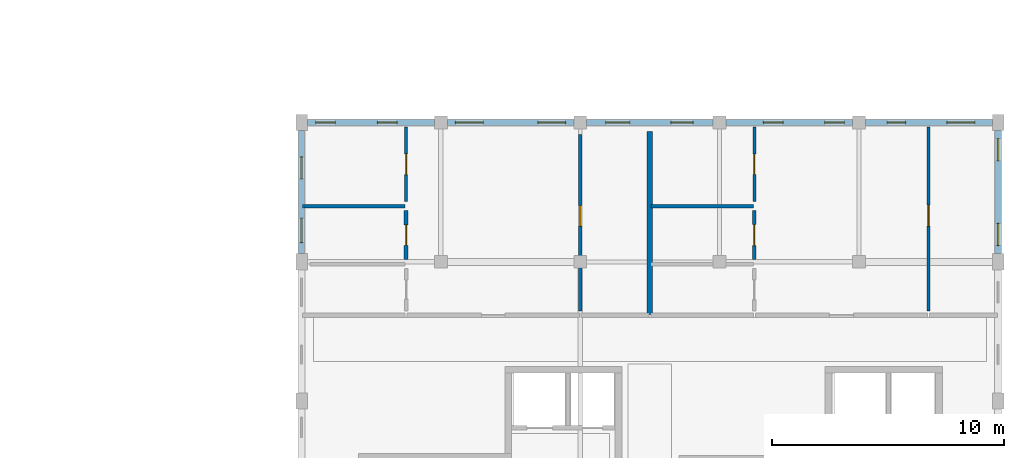
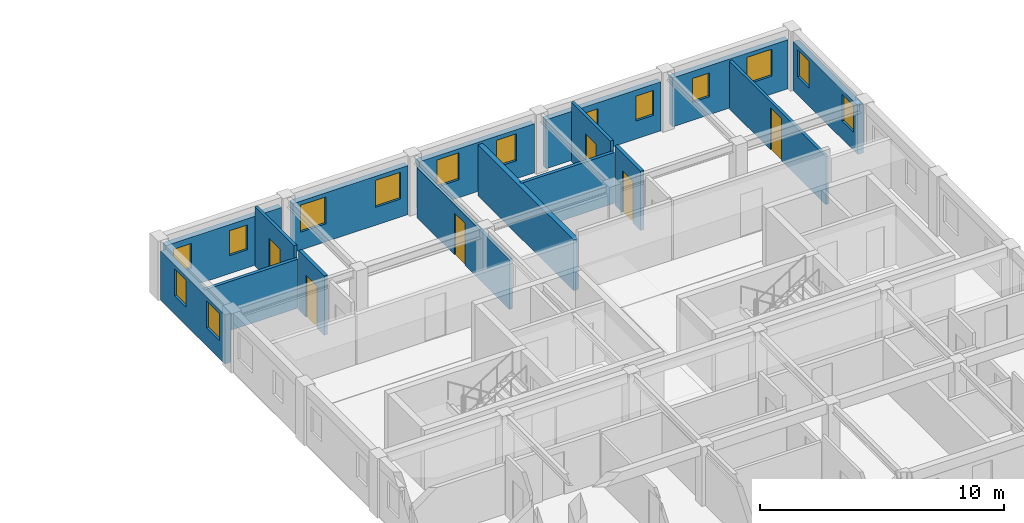
# One storey, part 23 of 28: 16 walls, 14 windows, 6 doors, 20 openings.
"""IFC4 building model written with IfcOpenShell, lengths in metres."""

import ifcopenshell
import ifcopenshell.guid

model = None  # the IFC model being written
_history = None  # IfcOwnerHistory: only IFC2X3 demands one
_inside = {}  # id of a spatial element -> (the spatial element, [elements in it])
_under = {}  # id of a project, library or spatial element -> (it, [spatial elements below it])
_declared = {}  # id of a project -> (the project, [libraries it declares])
_typed = {}  # id of a type object -> (the type object, [elements of that type])
_made_of = {}  # id of a material, layer set ... -> (it, [elements and type objects made of it])


def new_model(schema):
    """Start an empty IFC model of exactly this schema.

    Asked for "IFC4X3", IfcOpenShell would pick the latest addendum, in which some entities
    have other attributes; the version numbers below select the first issue.
    IFC2X3 requires an IfcOwnerHistory on every rooted entity: one is made here for all.
    """
    global model, _history
    if schema == "IFC4X3":
        model = ifcopenshell.file(schema_version=(4, 3, 0, 0))
    else:
        model = ifcopenshell.file(schema=schema)
    _inside.clear()
    _under.clear()
    _declared.clear()
    _typed.clear()
    _made_of.clear()
    _history = None
    if model.schema == "IFC2X3":
        org = make("IfcOrganization", Name="unknown")
        user = make(
            "IfcPersonAndOrganization",
            ThePerson=make("IfcPerson", FamilyName="unknown"),
            TheOrganization=org,
        )
        app = make(
            "IfcApplication",
            ApplicationDeveloper=org,
            Version="unknown",
            ApplicationFullName="unknown",
            ApplicationIdentifier="unknown",
        )
        _history = make(
            "IfcOwnerHistory",
            OwningUser=user,
            OwningApplication=app,
            ChangeAction="ADDED",
            CreationDate=0,
        )
    return model


def make(cls, **values):
    """One entity of the class cls with the attributes given. An attribute that is None is left unset."""
    return model.create_entity(
        cls, **{name: value for name, value in values.items() if value is not None}
    )


def rooted(cls, **values):
    """An entity with a GlobalId (a new one), such as an element, a storey or a relation."""
    return make(cls, GlobalId=ifcopenshell.guid.new(), OwnerHistory=_history, **values)


def si_unit(unit_type, name, prefix=None):
    """IfcSIUnit, for example si_unit("LENGTHUNIT", "METRE", prefix="MILLI")."""
    return make("IfcSIUnit", UnitType=unit_type, Prefix=prefix, Name=name)


def assignment(units):
    """IfcUnitAssignment: the units of a project."""
    return None if units is None else make("IfcUnitAssignment", Units=units)


def point(xyz):
    """IfcCartesianPoint."""
    return None if xyz is None else make("IfcCartesianPoint", Coordinates=xyz)


def direction(xyz):
    """IfcDirection."""
    return None if xyz is None else make("IfcDirection", DirectionRatios=xyz)


def frame(location, z_axis=None, x_axis=None):
    """IfcAxis2Placement3D, a coordinate frame: its origin and axes. An axis left out is left unset."""
    return make(
        "IfcAxis2Placement3D",
        Location=point(location),
        Axis=direction(z_axis),
        RefDirection=direction(x_axis),
    )


def frame_2d(location, x_axis=None):
    """IfcAxis2Placement2D, a coordinate frame in the plane: its origin and x axis."""
    return make(
        "IfcAxis2Placement2D", Location=point(location), RefDirection=direction(x_axis)
    )


def origin():
    """The frame at (0, 0, 0) with its axes left unset."""
    return frame((0.0, 0.0, 0.0))


def place(relative_to, where):
    """IfcLocalPlacement: puts the frame where relative to a parent placement (None: the world)."""
    return make(
        "IfcLocalPlacement", PlacementRelTo=relative_to, RelativePlacement=where
    )


def context(
    kind, dimensions, precision=None, world=None, true_north=None, identifier=None
):
    """IfcGeometricRepresentationContext, for example the 3D "Model" context."""
    return make(
        "IfcGeometricRepresentationContext",
        ContextIdentifier=identifier,
        ContextType=kind,
        CoordinateSpaceDimension=dimensions,
        Precision=precision,
        WorldCoordinateSystem=world,
        TrueNorth=true_north,
    )


def subcontext(parent, identifier, kind, view, scale=None):
    """IfcGeometricRepresentationSubContext, for example "Body" below "Model"."""
    return make(
        "IfcGeometricRepresentationSubContext",
        ContextIdentifier=identifier,
        ContextType=kind,
        ParentContext=parent,
        TargetScale=scale,
        TargetView=view,
    )


def project(units=None, contexts=None):
    """IfcProject with its units and contexts."""
    return rooted(
        "IfcProject",
        Name="project",
        RepresentationContexts=contexts,
        UnitsInContext=assignment(units),
    )


def spatial(cls, under=None, at=None, **own):
    """A site, building, storey or space (cls), placed at a placement, below another one or the project."""
    s = rooted(cls, ObjectPlacement=at, **own)
    if under is not None:
        _under.setdefault(under.id(), (under, []))[1].append(s)
    return s


def profile(cls, at=None, kind="AREA", **sizes):
    """A parametric profile (cls). Its sizes go by their IFC names, for example OverallWidth=200.0."""
    return make(cls, ProfileType=kind, Position=at, **sizes)


def rectangle(**sizes):
    """IfcRectangleProfileDef."""
    return profile("IfcRectangleProfileDef", **sizes)


def extrude(swept, where, along, depth):
    """IfcExtrudedAreaSolid: the profile swept, set in the frame where, extruded along a direction by depth."""
    return make(
        "IfcExtrudedAreaSolid",
        SweptArea=swept,
        Position=where,
        ExtrudedDirection=direction(along),
        Depth=depth,
    )


def shape(context_of_items, identifier, shape_type, items):
    """IfcShapeRepresentation: the items that make up one representation, for example the "Body"."""
    return make(
        "IfcShapeRepresentation",
        ContextOfItems=context_of_items,
        RepresentationIdentifier=identifier,
        RepresentationType=shape_type,
        Items=items,
    )


def material(Name=None, Category=None):
    """IfcMaterial."""
    return make("IfcMaterial", Name=Name, Category=Category)


def layer(
    of_material, thickness, ventilated=None, Name=None, Category=None, Priority=None
):
    """IfcMaterialLayer: one layer of a wall or slab, of a material (None: an air gap)."""
    return make(
        "IfcMaterialLayer",
        Material=of_material,
        LayerThickness=thickness,
        IsVentilated=ventilated,
        Name=Name,
        Category=Category,
        Priority=Priority,
    )


def layer_set(layers, Name=None):
    """IfcMaterialLayerSet."""
    return make("IfcMaterialLayerSet", MaterialLayers=layers, LayerSetName=Name)


def made_of(thing, what):
    """Note that an element or type object is made of a material, layer set ...; save() writes the relation."""
    if what is not None:
        _made_of.setdefault(what.id(), (what, []))[1].append(thing)
    return thing


def type_object(cls, material=None, **own):
    """A type object (cls), such as IfcWallType, which elements share."""
    return made_of(rooted(cls, **own), material)


def element(
    cls,
    number,
    at=None,
    inside=None,
    cuts=None,
    type_object=None,
    material=None,
    context=None,
    identifier="Body",
    shape_type=None,
    held_by="IfcProductDefinitionShape",
    body=None,
    shapes=None,
    **own,
):
    """One element of the class cls, such as IfcWall. Its Tag is "e" and its number.

    at: its placement. inside: the storey or other place that contains it. cuts: it is an
    opening in that element (IfcRelVoidsElement). A single representation is given by context,
    identifier, shape_type and body (its items); several are given by shapes. held_by: the class
    of the entity that holds the representations. save() writes the other relations.
    """
    e = rooted(cls, Tag="e%d" % number, ObjectPlacement=at, **own)
    if body is not None:
        shapes = [shape(context, identifier, shape_type, body)]
    if shapes is not None:
        e.Representation = make(held_by, Representations=shapes)
    if inside is not None:
        _inside.setdefault(inside.id(), (inside, []))[1].append(e)
    if cuts is not None:
        rooted(
            "IfcRelVoidsElement", RelatingBuildingElement=cuts, RelatedOpeningElement=e
        )
    if type_object is not None:
        _typed.setdefault(type_object.id(), (type_object, []))[1].append(e)
    return made_of(e, material)


def fill(opening, filler):
    """IfcRelFillsElement: the door or window that sits in an opening."""
    return rooted(
        "IfcRelFillsElement",
        RelatingOpeningElement=opening,
        RelatedBuildingElement=filler,
    )


def aggregate(whole, parts):
    """IfcRelAggregates: a whole, such as a stair, and the parts it consists of."""
    return rooted("IfcRelAggregates", RelatingObject=whole, RelatedObjects=parts)


def save(model, path):
    """Write the relations noted so far, then the file.

    IfcRelAggregates (storeys below a building ...), IfcRelContainedInSpatialStructure (elements
    in a storey), IfcRelDefinesByType, IfcRelAssociatesMaterial and IfcRelDeclares: one each for
    every whole, place, type object, material and project.
    """
    for whole, parts in _under.values():
        aggregate(whole, parts)
    for where, things in _inside.values():
        rooted(
            "IfcRelContainedInSpatialStructure",
            RelatedElements=things,
            RelatingStructure=where,
        )
    for kind, things in _typed.values():
        rooted("IfcRelDefinesByType", RelatedObjects=things, RelatingType=kind)
    for what, things in _made_of.values():
        rooted("IfcRelAssociatesMaterial", RelatedObjects=things, RelatingMaterial=what)
    for by, libraries in _declared.values():
        rooted("IfcRelDeclares", RelatingContext=by, RelatedDefinitions=libraries)
    model.write(path)


model = new_model("IFC4")

# Units and contexts
model_context = context("Model", 3, precision=1e-05, world=origin(), true_north=direction((0.0, 1.0)))
body_context = subcontext(model_context, "Body", "Model", "MODEL_VIEW")
ifc_project = project(units=[si_unit("LENGTHUNIT", "METRE"), si_unit("AREAUNIT", "SQUARE_METRE"), si_unit("VOLUMEUNIT", "CUBIC_METRE"), si_unit("PLANEANGLEUNIT", "RADIAN"), si_unit("MASSUNIT", "GRAM", prefix="KILO"), si_unit("POWERUNIT", "WATT"), si_unit("THERMODYNAMICTEMPERATUREUNIT", "KELVIN")], contexts=[model_context])

# Site, building, storey
site_placement = place(None, origin())
site = spatial("IfcSite", under=ifc_project, at=site_placement, CompositionType="ELEMENT")
building_placement = place(site_placement, origin())
building = spatial("IfcBuilding", under=site, at=building_placement, Name="Ruvembo Vaulted Housing Court", CompositionType="ELEMENT")
storey_placement = place(building_placement, frame((0.0, 0.0, 23.699951171875)))
storey = spatial("IfcBuildingStorey", under=building, at=storey_placement, Name="L07", CompositionType="ELEMENT", Elevation=23.699951171875)

# Wall
ifc_material_1 = material(Name="Acoustic Masonry Demising 230", Category="masonry")
ifc_layer_1 = layer(ifc_material_1, 0.22998046875, Name="Acoustic Masonry Demising 230")
ifc_layer_set_1 = layer_set([ifc_layer_1], Name="Acoustic Masonry Demising 230")
wall_type_1 = type_object("IfcWallType", Name="WL-DEM-230", PredefinedType="SOLIDWALL", material=ifc_layer_set_1)
wall_1_placement = place(storey_placement, frame((171.0, 93.739990234375, 0.0), z_axis=(0.0, 0.0, 1.0), x_axis=(0.0, 1.0, 0.0)))
element("IfcWall", 1, at=wall_1_placement, inside=storey, type_object=wall_type_1, Name="L07 Demising D-L07-N1 WL-INT-L07-01998", PredefinedType="SOLIDWALL", context=body_context, shape_type="SweptSolid", body=[
    extrude(rectangle(XDim=7.8701171875, YDim=0.22998046875, at=frame_2d((3.93505859375, 0.0))), origin(), (0.0, 0.0, 1.0), 2.548095703125),
])

# Wall, openings, windows
ifc_material_2 = material(Name="Rendered Masonry 270", Category="masonry")
ifc_layer_2 = layer(ifc_material_2, 0.27001953125, Name="Rendered Masonry 270")
ifc_layer_set_2 = layer_set([ifc_layer_2], Name="Rendered Masonry 270")
wall_type_2 = type_object("IfcWallType", Name="WL-EXT-270", PredefinedType="STANDARD", material=ifc_layer_set_2)
wall_2_placement = place(storey_placement, frame((186.0, 96.35009765625, 0.0), z_axis=(0.0, 0.0, 1.0), x_axis=(0.0, 1.0, 0.0)))
wall_2 = element("IfcWall", 2, at=wall_2_placement, inside=storey, type_object=wall_type_2, Name="Block D L07 Exterior Wall EAST #5", PredefinedType="STANDARD", context=body_context, shape_type="SweptSolid", body=[
    extrude(rectangle(XDim=5.2998046875, YDim=0.27001953125, at=frame_2d((2.64990234375, 0.0))), origin(), (0.0, 0.0, 1.0), 2.45703125),
])
opening_1_placement = place(wall_2_placement, frame((0.35009765625, 0.0, 0.89990234375)))
opening_1 = element("IfcOpeningElement", 3, at=opening_1_placement, cuts=wall_2, Name="Opening W07", PredefinedType="OPENING", context=body_context, shape_type="SweptSolid", body=[
    extrude(rectangle(XDim=0.949951171875, YDim=1.35009765625, at=frame_2d((0.47509765625, 0.675048828125))), frame((0.0, 0.14501953125, 0.0), z_axis=(0.0, -1.0, 0.0), x_axis=(1.0, 0.0, 0.0)), (0.0, 0.0, 1.0), 0.2900390625),
])
opening_2_placement = place(wall_2_placement, frame((4.0, 0.0, 0.89990234375)))
opening_2 = element("IfcOpeningElement", 4, at=opening_2_placement, cuts=wall_2, Name="Opening W07", PredefinedType="OPENING", context=body_context, shape_type="SweptSolid", body=[
    extrude(rectangle(XDim=0.949951171875, YDim=1.35009765625, at=frame_2d((0.47509765625, 0.675048828125))), frame((0.0, 0.14501953125, 0.0), z_axis=(0.0, -1.0, 0.0), x_axis=(1.0, 0.0, 0.0)), (0.0, 0.0, 1.0), 0.2900390625),
])
ifc_material_3 = material(Name="Double Solar-Control Glazing in Aluminium Frame", Category="aluminium")
window_type_1 = type_object("IfcWindowType", Name="WIN-0950x1350", PartitioningType="SINGLE_PANEL", PredefinedType="WINDOW", material=ifc_material_3)
window_1_placement = place(opening_1_placement, origin())
window_1 = element("IfcWindow", 5, at=window_1_placement, inside=storey, type_object=window_type_1, Name="Block D L07 Window #1761", OverallHeight=1.35009765625, OverallWidth=0.949951171875, PartitioningType="SINGLE_PANEL", PredefinedType="WINDOW", context=body_context, shape_type="SweptSolid", body=[
    extrude(rectangle(XDim=0.949951171875, YDim=1.35009765625, at=frame_2d((0.47509765625, 0.675048828125))), frame((0.0, 0.030029296875, 0.0), z_axis=(0.0, -1.0, 0.0), x_axis=(1.0, 0.0, 0.0)), (0.0, 0.0, 1.0), 0.06005859375),
])
fill(opening_1, window_1)
window_2_placement = place(opening_2_placement, origin())
window_2 = element("IfcWindow", 6, at=window_2_placement, inside=storey, type_object=window_type_1, Name="Block D L07 Window #1762", OverallHeight=1.35009765625, OverallWidth=0.949951171875, PartitioningType="SINGLE_PANEL", PredefinedType="WINDOW", context=body_context, shape_type="SweptSolid", body=[
    extrude(rectangle(XDim=0.949951171875, YDim=1.35009765625, at=frame_2d((0.47509765625, 0.675048828125))), frame((0.0, 0.030029296875, 0.0), z_axis=(0.0, -1.0, 0.0), x_axis=(1.0, 0.0, 0.0)), (0.0, 0.0, 1.0), 0.06005859375),
])
fill(opening_2, window_2)

wall_3_placement = place(storey_placement, frame((185.75, 102.0, 0.0), z_axis=(0.0, 0.0, 1.0), x_axis=(-1.0, 0.0, 0.0)))
wall_3 = element("IfcWall", 7, at=wall_3_placement, inside=storey, type_object=wall_type_2, Name="Block D L07 Exterior Wall STREET #1", PredefinedType="STANDARD", context=body_context, shape_type="SweptSolid", body=[
    extrude(rectangle(XDim=5.47509765625, YDim=0.27001953125, at=frame_2d((2.737548828125, 0.0))), origin(), (0.0, 0.0, 1.0), 2.45703125),
])
opening_3_placement = place(wall_3_placement, frame((0.7548828125, 0.0, 0.89990234375)))
opening_3 = element("IfcOpeningElement", 8, at=opening_3_placement, cuts=wall_3, Name="Opening W12", PredefinedType="OPENING", context=body_context, shape_type="SweptSolid", body=[
    extrude(rectangle(XDim=1.199951171875, YDim=1.35009765625, at=frame_2d((0.60009765625, 0.675048828125))), frame((0.0, 0.14501953125, 0.0), z_axis=(0.0, -1.0, 0.0), x_axis=(1.0, 0.0, 0.0)), (0.0, 0.0, 1.0), 0.2900390625),
])
opening_4_placement = place(wall_3_placement, frame((3.732421875, 0.0, 0.89990234375)))
opening_4 = element("IfcOpeningElement", 9, at=opening_4_placement, cuts=wall_3, Name="Opening W02", PredefinedType="OPENING", context=body_context, shape_type="SweptSolid", body=[
    extrude(rectangle(XDim=0.800048828125, YDim=1.199951171875, at=frame_2d((0.39990234375, 0.60009765625))), frame((0.0, 0.14501953125, 0.0), z_axis=(0.0, -1.0, 0.0), x_axis=(1.0, 0.0, 0.0)), (0.0, 0.0, 1.0), 0.2900390625),
])
window_type_2 = type_object("IfcWindowType", Name="WIN-0800x1200", PartitioningType="SINGLE_PANEL", PredefinedType="WINDOW", material=ifc_material_3)
window_3_placement = place(opening_4_placement, origin())
window_3 = element("IfcWindow", 10, at=window_3_placement, inside=storey, type_object=window_type_2, Name="Block D L07 Window #1764", OverallHeight=1.199951171875, OverallWidth=0.800048828125, PartitioningType="SINGLE_PANEL", PredefinedType="WINDOW", context=body_context, shape_type="SweptSolid", body=[
    extrude(rectangle(XDim=0.800048828125, YDim=1.199951171875, at=frame_2d((0.39990234375, 0.60009765625))), frame((0.0, 0.030029296875, 0.0), z_axis=(0.0, -1.0, 0.0), x_axis=(1.0, 0.0, 0.0)), (0.0, 0.0, 1.0), 0.06005859375),
])
fill(opening_4, window_3)
window_type_3 = type_object("IfcWindowType", Name="WIN-1200x1350", PartitioningType="SINGLE_PANEL", PredefinedType="WINDOW", material=ifc_material_3)
window_4_placement = place(opening_3_placement, origin())
window_4 = element("IfcWindow", 11, at=window_4_placement, inside=storey, type_object=window_type_3, Name="Block D L07 Window #1763", OverallHeight=1.35009765625, OverallWidth=1.199951171875, PartitioningType="SINGLE_PANEL", PredefinedType="WINDOW", context=body_context, shape_type="SweptSolid", body=[
    extrude(rectangle(XDim=1.199951171875, YDim=1.35009765625, at=frame_2d((0.60009765625, 0.675048828125))), frame((0.0, 0.030029296875, 0.0), z_axis=(0.0, -1.0, 0.0), x_axis=(1.0, 0.0, 0.0)), (0.0, 0.0, 1.0), 0.06005859375),
])
fill(opening_3, window_4)

wall_4_placement = place(storey_placement, frame((179.72509765625, 102.0, 0.0), z_axis=(0.0, 0.0, 1.0), x_axis=(-1.0, 0.0, 0.0)))
wall_4 = element("IfcWall", 12, at=wall_4_placement, inside=storey, type_object=wall_type_2, Name="Block D L07 Exterior Wall STREET #2", PredefinedType="STANDARD", context=body_context, shape_type="SweptSolid", body=[
    extrude(rectangle(XDim=5.4501953125, YDim=0.27001953125, at=frame_2d((2.72509765625, 0.0))), origin(), (0.0, 0.0, 1.0), 2.45703125),
])
opening_5_placement = place(wall_4_placement, frame((0.35009765625, 0.0, 0.89990234375)))
opening_5 = element("IfcOpeningElement", 13, at=opening_5_placement, cuts=wall_4, Name="Opening W03", PredefinedType="OPENING", context=body_context, shape_type="SweptSolid", body=[
    extrude(rectangle(XDim=0.85009765625, YDim=1.25, at=frame_2d((0.425048828125, 0.625))), frame((0.0, 0.14501953125, 0.0), z_axis=(0.0, -1.0, 0.0), x_axis=(1.0, 0.0, 0.0)), (0.0, 0.0, 1.0), 0.2900390625),
])
opening_6_placement = place(wall_4_placement, frame((2.985107421875, 0.0, 0.89990234375)))
opening_6 = element("IfcOpeningElement", 14, at=opening_6_placement, cuts=wall_4, Name="Opening W03", PredefinedType="OPENING", context=body_context, shape_type="SweptSolid", body=[
    extrude(rectangle(XDim=0.85009765625, YDim=1.25, at=frame_2d((0.425048828125, 0.625))), frame((0.0, 0.14501953125, 0.0), z_axis=(0.0, -1.0, 0.0), x_axis=(1.0, 0.0, 0.0)), (0.0, 0.0, 1.0), 0.2900390625),
])
window_type_4 = type_object("IfcWindowType", Name="WIN-0850x1250", PartitioningType="SINGLE_PANEL", PredefinedType="WINDOW", material=ifc_material_3)
window_5_placement = place(opening_5_placement, origin())
window_5 = element("IfcWindow", 15, at=window_5_placement, inside=storey, type_object=window_type_4, Name="Block D L07 Window #1765", OverallHeight=1.25, OverallWidth=0.85009765625, PartitioningType="SINGLE_PANEL", PredefinedType="WINDOW", context=body_context, shape_type="SweptSolid", body=[
    extrude(rectangle(XDim=0.85009765625, YDim=1.25, at=frame_2d((0.425048828125, 0.625))), frame((0.0, 0.030029296875, 0.0), z_axis=(0.0, -1.0, 0.0), x_axis=(1.0, 0.0, 0.0)), (0.0, 0.0, 1.0), 0.06005859375),
])
fill(opening_5, window_5)
window_6_placement = place(opening_6_placement, origin())
window_6 = element("IfcWindow", 16, at=window_6_placement, inside=storey, type_object=window_type_4, Name="Block D L07 Window #1766", OverallHeight=1.25, OverallWidth=0.85009765625, PartitioningType="SINGLE_PANEL", PredefinedType="WINDOW", context=body_context, shape_type="SweptSolid", body=[
    extrude(rectangle(XDim=0.85009765625, YDim=1.25, at=frame_2d((0.425048828125, 0.625))), frame((0.0, 0.030029296875, 0.0), z_axis=(0.0, -1.0, 0.0), x_axis=(1.0, 0.0, 0.0)), (0.0, 0.0, 1.0), 0.06005859375),
])
fill(opening_6, window_6)

wall_5_placement = place(storey_placement, frame((173.72509765625, 102.0, 0.0), z_axis=(0.0, 0.0, 1.0), x_axis=(-1.0, 0.0, 0.0)))
wall_5 = element("IfcWall", 17, at=wall_5_placement, inside=storey, type_object=wall_type_2, Name="Block D L07 Exterior Wall STREET #3", PredefinedType="STANDARD", context=body_context, shape_type="SweptSolid", body=[
    extrude(rectangle(XDim=5.4501953125, YDim=0.27001953125, at=frame_2d((2.72509765625, 0.0))), origin(), (0.0, 0.0, 1.0), 2.45703125),
])
opening_7_placement = place(wall_5_placement, frame((0.867431640625, 0.0, 0.89990234375)))
opening_7 = element("IfcOpeningElement", 18, at=opening_7_placement, cuts=wall_5, Name="Opening W07", PredefinedType="OPENING", context=body_context, shape_type="SweptSolid", body=[
    extrude(rectangle(XDim=0.949951171875, YDim=1.35009765625, at=frame_2d((0.47509765625, 0.675048828125))), frame((0.0, 0.14501953125, 0.0), z_axis=(0.0, -1.0, 0.0), x_axis=(1.0, 0.0, 0.0)), (0.0, 0.0, 1.0), 0.2900390625),
])
opening_8_placement = place(wall_5_placement, frame((3.58251953125, 0.0, 0.89990234375)))
opening_8 = element("IfcOpeningElement", 19, at=opening_8_placement, cuts=wall_5, Name="Opening W09", PredefinedType="OPENING", context=body_context, shape_type="SweptSolid", body=[
    extrude(rectangle(XDim=1.050048828125, YDim=1.35009765625, at=frame_2d((0.52490234375, 0.675048828125))), frame((0.0, 0.14501953125, 0.0), z_axis=(0.0, -1.0, 0.0), x_axis=(1.0, 0.0, 0.0)), (0.0, 0.0, 1.0), 0.2900390625),
])
window_7_placement = place(opening_7_placement, origin())
window_7 = element("IfcWindow", 20, at=window_7_placement, inside=storey, type_object=window_type_1, Name="Block D L07 Window #1767", OverallHeight=1.35009765625, OverallWidth=0.949951171875, PartitioningType="SINGLE_PANEL", PredefinedType="WINDOW", context=body_context, shape_type="SweptSolid", body=[
    extrude(rectangle(XDim=0.949951171875, YDim=1.35009765625, at=frame_2d((0.47509765625, 0.675048828125))), frame((0.0, 0.030029296875, 0.0), z_axis=(0.0, -1.0, 0.0), x_axis=(1.0, 0.0, 0.0)), (0.0, 0.0, 1.0), 0.06005859375),
])
fill(opening_7, window_7)
window_type_5 = type_object("IfcWindowType", Name="WIN-1050x1350", PartitioningType="SINGLE_PANEL", PredefinedType="WINDOW", material=ifc_material_3)
window_8_placement = place(opening_8_placement, origin())
window_8 = element("IfcWindow", 21, at=window_8_placement, inside=storey, type_object=window_type_5, Name="Block D L07 Window #1768", OverallHeight=1.35009765625, OverallWidth=1.050048828125, PartitioningType="SINGLE_PANEL", PredefinedType="WINDOW", context=body_context, shape_type="SweptSolid", body=[
    extrude(rectangle(XDim=1.050048828125, YDim=1.35009765625, at=frame_2d((0.52490234375, 0.675048828125))), frame((0.0, 0.030029296875, 0.0), z_axis=(0.0, -1.0, 0.0), x_axis=(1.0, 0.0, 0.0)), (0.0, 0.0, 1.0), 0.06005859375),
])
fill(opening_8, window_8)

wall_6_placement = place(storey_placement, frame((167.72509765625, 102.0, 0.0), z_axis=(0.0, 0.0, 1.0), x_axis=(-1.0, 0.0, 0.0)))
wall_6 = element("IfcWall", 22, at=wall_6_placement, inside=storey, type_object=wall_type_2, Name="Block D L07 Exterior Wall STREET #4", PredefinedType="STANDARD", context=body_context, shape_type="SweptSolid", body=[
    extrude(rectangle(XDim=5.4501953125, YDim=0.27001953125, at=frame_2d((2.72509765625, 0.0))), origin(), (0.0, 0.0, 1.0), 2.45703125),
])
opening_9_placement = place(wall_6_placement, frame((0.35009765625, 0.0, 0.89990234375)))
opening_9 = element("IfcOpeningElement", 23, at=opening_9_placement, cuts=wall_6, Name="Opening W12", PredefinedType="OPENING", context=body_context, shape_type="SweptSolid", body=[
    extrude(rectangle(XDim=1.199951171875, YDim=1.35009765625, at=frame_2d((0.60009765625, 0.675048828125))), frame((0.0, 0.14501953125, 0.0), z_axis=(0.0, -1.0, 0.0), x_axis=(1.0, 0.0, 0.0)), (0.0, 0.0, 1.0), 0.2900390625),
])
opening_10_placement = place(wall_6_placement, frame((3.89990234375, 0.0, 0.89990234375)))
opening_10 = element("IfcOpeningElement", 24, at=opening_10_placement, cuts=wall_6, Name="Opening W12", PredefinedType="OPENING", context=body_context, shape_type="SweptSolid", body=[
    extrude(rectangle(XDim=1.199951171875, YDim=1.35009765625, at=frame_2d((0.60009765625, 0.675048828125))), frame((0.0, 0.14501953125, 0.0), z_axis=(0.0, -1.0, 0.0), x_axis=(1.0, 0.0, 0.0)), (0.0, 0.0, 1.0), 0.2900390625),
])
window_9_placement = place(opening_9_placement, origin())
window_9 = element("IfcWindow", 25, at=window_9_placement, inside=storey, type_object=window_type_3, Name="Block D L07 Window #1769", OverallHeight=1.35009765625, OverallWidth=1.199951171875, PartitioningType="SINGLE_PANEL", PredefinedType="WINDOW", context=body_context, shape_type="SweptSolid", body=[
    extrude(rectangle(XDim=1.199951171875, YDim=1.35009765625, at=frame_2d((0.60009765625, 0.675048828125))), frame((0.0, 0.030029296875, 0.0), z_axis=(0.0, -1.0, 0.0), x_axis=(1.0, 0.0, 0.0)), (0.0, 0.0, 1.0), 0.06005859375),
])
fill(opening_9, window_9)
window_10_placement = place(opening_10_placement, origin())
window_10 = element("IfcWindow", 26, at=window_10_placement, inside=storey, type_object=window_type_3, Name="Block D L07 Window #1770", OverallHeight=1.35009765625, OverallWidth=1.199951171875, PartitioningType="SINGLE_PANEL", PredefinedType="WINDOW", context=body_context, shape_type="SweptSolid", body=[
    extrude(rectangle(XDim=1.199951171875, YDim=1.35009765625, at=frame_2d((0.60009765625, 0.675048828125))), frame((0.0, 0.030029296875, 0.0), z_axis=(0.0, -1.0, 0.0), x_axis=(1.0, 0.0, 0.0)), (0.0, 0.0, 1.0), 0.06005859375),
])
fill(opening_10, window_10)

wall_7_placement = place(storey_placement, frame((161.72509765625, 102.0, 0.0), z_axis=(0.0, 0.0, 1.0), x_axis=(-1.0, 0.0, 0.0)))
wall_7 = element("IfcWall", 27, at=wall_7_placement, inside=storey, type_object=wall_type_2, Name="Block D L07 Exterior Wall STREET #5", PredefinedType="STANDARD", context=body_context, shape_type="SweptSolid", body=[
    extrude(rectangle(XDim=5.47509765625, YDim=0.27001953125, at=frame_2d((2.737548828125, 0.0))), origin(), (0.0, 0.0, 1.0), 2.45703125),
])
opening_11_placement = place(wall_7_placement, frame((1.614990234375, 0.0, 0.89990234375)))
opening_11 = element("IfcOpeningElement", 28, at=opening_11_placement, cuts=wall_7, Name="Opening W03", PredefinedType="OPENING", context=body_context, shape_type="SweptSolid", body=[
    extrude(rectangle(XDim=0.85009765625, YDim=1.25, at=frame_2d((0.425048828125, 0.625))), frame((0.0, 0.14501953125, 0.0), z_axis=(0.0, -1.0, 0.0), x_axis=(1.0, 0.0, 0.0)), (0.0, 0.0, 1.0), 0.2900390625),
])
opening_12_placement = place(wall_7_placement, frame((4.27490234375, 0.0, 0.89990234375)))
opening_12 = element("IfcOpeningElement", 29, at=opening_12_placement, cuts=wall_7, Name="Opening W03", PredefinedType="OPENING", context=body_context, shape_type="SweptSolid", body=[
    extrude(rectangle(XDim=0.85009765625, YDim=1.25, at=frame_2d((0.425048828125, 0.625))), frame((0.0, 0.14501953125, 0.0), z_axis=(0.0, -1.0, 0.0), x_axis=(1.0, 0.0, 0.0)), (0.0, 0.0, 1.0), 0.2900390625),
])
window_11_placement = place(opening_11_placement, origin())
window_11 = element("IfcWindow", 30, at=window_11_placement, inside=storey, type_object=window_type_4, Name="Block D L07 Window #1771", OverallHeight=1.25, OverallWidth=0.85009765625, PartitioningType="SINGLE_PANEL", PredefinedType="WINDOW", context=body_context, shape_type="SweptSolid", body=[
    extrude(rectangle(XDim=0.85009765625, YDim=1.25, at=frame_2d((0.425048828125, 0.625))), frame((0.0, 0.030029296875, 0.0), z_axis=(0.0, -1.0, 0.0), x_axis=(1.0, 0.0, 0.0)), (0.0, 0.0, 1.0), 0.06005859375),
])
fill(opening_11, window_11)
window_12_placement = place(opening_12_placement, origin())
window_12 = element("IfcWindow", 31, at=window_12_placement, inside=storey, type_object=window_type_4, Name="Block D L07 Window #1772", OverallHeight=1.25, OverallWidth=0.85009765625, PartitioningType="SINGLE_PANEL", PredefinedType="WINDOW", context=body_context, shape_type="SweptSolid", body=[
    extrude(rectangle(XDim=0.85009765625, YDim=1.25, at=frame_2d((0.425048828125, 0.625))), frame((0.0, 0.030029296875, 0.0), z_axis=(0.0, -1.0, 0.0), x_axis=(1.0, 0.0, 0.0)), (0.0, 0.0, 1.0), 0.06005859375),
])
fill(opening_12, window_12)

wall_8_placement = place(storey_placement, frame((156.0, 101.64990234375, 0.0), z_axis=(0.0, 0.0, 1.0), x_axis=(0.0, -1.0, 0.0)))
wall_8 = element("IfcWall", 32, at=wall_8_placement, inside=storey, type_object=wall_type_2, Name="Block D L07 Exterior Wall WEST #1", PredefinedType="STANDARD", context=body_context, shape_type="SweptSolid", body=[
    extrude(rectangle(XDim=5.2998046875, YDim=0.27001953125, at=frame_2d((2.64990234375, 0.0))), origin(), (0.0, 0.0, 1.0), 2.45703125),
])
opening_13_placement = place(wall_8_placement, frame((1.1298828125, 0.0, 0.89990234375)))
opening_13 = element("IfcOpeningElement", 33, at=opening_13_placement, cuts=wall_8, Name="Opening W07", PredefinedType="OPENING", context=body_context, shape_type="SweptSolid", body=[
    extrude(rectangle(XDim=0.949951171875, YDim=1.35009765625, at=frame_2d((0.47509765625, 0.675048828125))), frame((0.0, 0.14501953125, 0.0), z_axis=(0.0, -1.0, 0.0), x_axis=(1.0, 0.0, 0.0)), (0.0, 0.0, 1.0), 0.2900390625),
])
opening_14_placement = place(wall_8_placement, frame((3.77001953125, 0.0, 0.89990234375)))
opening_14 = element("IfcOpeningElement", 34, at=opening_14_placement, cuts=wall_8, Name="Opening W09", PredefinedType="OPENING", context=body_context, shape_type="SweptSolid", body=[
    extrude(rectangle(XDim=1.050048828125, YDim=1.35009765625, at=frame_2d((0.52490234375, 0.675048828125))), frame((0.0, 0.14501953125, 0.0), z_axis=(0.0, -1.0, 0.0), x_axis=(1.0, 0.0, 0.0)), (0.0, 0.0, 1.0), 0.2900390625),
])
window_13_placement = place(opening_13_placement, origin())
window_13 = element("IfcWindow", 35, at=window_13_placement, inside=storey, type_object=window_type_1, Name="Block D L07 Window #1773", OverallHeight=1.35009765625, OverallWidth=0.949951171875, PartitioningType="SINGLE_PANEL", PredefinedType="WINDOW", context=body_context, shape_type="SweptSolid", body=[
    extrude(rectangle(XDim=0.949951171875, YDim=1.35009765625, at=frame_2d((0.47509765625, 0.675048828125))), frame((0.0, 0.030029296875, 0.0), z_axis=(0.0, -1.0, 0.0), x_axis=(1.0, 0.0, 0.0)), (0.0, 0.0, 1.0), 0.06005859375),
])
fill(opening_13, window_13)
window_14_placement = place(opening_14_placement, origin())
window_14 = element("IfcWindow", 36, at=window_14_placement, inside=storey, type_object=window_type_5, Name="Block D L07 Window #1774", OverallHeight=1.35009765625, OverallWidth=1.050048828125, PartitioningType="SINGLE_PANEL", PredefinedType="WINDOW", context=body_context, shape_type="SweptSolid", body=[
    extrude(rectangle(XDim=1.050048828125, YDim=1.35009765625, at=frame_2d((0.52490234375, 0.675048828125))), frame((0.0, 0.030029296875, 0.0), z_axis=(0.0, -1.0, 0.0), x_axis=(1.0, 0.0, 0.0)), (0.0, 0.0, 1.0), 0.06005859375),
])
fill(opening_14, window_14)

# Wall, opening, door
ifc_material_4 = material(Name="Acoustic Stud Partition 135", Category="gypsum")
ifc_layer_3 = layer(ifc_material_4, 0.135009765625, Name="Acoustic Stud Partition 135")
ifc_layer_set_3 = layer_set([ifc_layer_3], Name="Acoustic Stud Partition 135")
wall_type_3 = type_object("IfcWallType", Name="WL-PART-135", PredefinedType="PARTITIONING", material=ifc_layer_set_3)
wall_9_placement = place(storey_placement, frame((160.5, 98.590087890625, 0.0), z_axis=(0.0, 0.0, 1.0), x_axis=(0.0, 1.0, 0.0)))
wall_9 = element("IfcWall", 37, at=wall_9_placement, inside=storey, type_object=wall_type_3, Name="L07 Flat D-L07-N1 Bedroom 1 WL-INT-L07-02001", PredefinedType="PARTITIONING", context=body_context, shape_type="SweptSolid", body=[
    extrude(rectangle(XDim=3.219970703125, YDim=0.135009765625, at=frame_2d((1.60986328125, 0.0))), origin(), (0.0, 0.0, 1.0), 2.97509765625),
])
opening_15_placement = place(wall_9_placement, frame((1.159912109375, 0.0, 0.0)))
opening_15 = element("IfcOpeningElement", 38, at=opening_15_placement, cuts=wall_9, Name="Opening ID1", PredefinedType="OPENING", context=body_context, shape_type="SweptSolid", body=[
    extrude(rectangle(XDim=0.89990234375, YDim=2.10009765625, at=frame_2d((0.449951171875, 1.050048828125))), frame((0.0, 0.077392578125, 0.0), z_axis=(0.0, -1.0, 0.0), x_axis=(1.0, 0.0, 0.0)), (0.0, 0.0, 1.0), 0.155029296875),
])
ifc_material_5 = material(Name="FSC Hardwood and Engineered Timber", Category="wood")
door_type_1 = type_object("IfcDoorType", Name="DR-ROOM-0900x2100", OperationType="NOTDEFINED", PredefinedType="DOOR", material=ifc_material_5)
door_1_placement = place(opening_15_placement, origin())
door_1 = element("IfcDoor", 39, at=door_1_placement, inside=storey, type_object=door_type_1, Name="L07 Flat D-L07-N1 Bedroom 1 Door DR-INT-L07-01120", OperationType="SINGLE_SWING_RIGHT", OverallHeight=2.10009765625, OverallWidth=0.89990234375, PredefinedType="DOOR", context=body_context, shape_type="SweptSolid", body=[
    extrude(rectangle(XDim=0.89990234375, YDim=2.10009765625, at=frame_2d((0.449951171875, 1.050048828125))), frame((0.0, 0.02490234375, 0.0), z_axis=(0.0, -1.0, 0.0), x_axis=(1.0, 0.0, 0.0)), (0.0, 0.0, 1.0), 0.050048828125),
])
fill(opening_15, door_1)

wall_10_placement = place(storey_placement, frame((168.0, 93.889892578125, 0.0), z_axis=(0.0, 0.0, 1.0), x_axis=(0.0, 1.0, 0.0)))
wall_10 = element("IfcWall", 40, at=wall_10_placement, inside=storey, type_object=wall_type_3, Name="L07 Flat D-L07-N1 Bedroom 2 WL-INT-L07-02007", PredefinedType="PARTITIONING", context=body_context, shape_type="SweptSolid", body=[
    extrude(rectangle(XDim=7.60009765625, YDim=0.135009765625, at=frame_2d((3.800048828125, 0.0))), origin(), (0.0, 0.0, 1.0), 2.508056640625),
])
opening_16_placement = place(wall_10_placement, frame((3.64990234375, 0.0, 0.0)))
opening_16 = element("IfcOpeningElement", 41, at=opening_16_placement, cuts=wall_10, Name="Opening ID3", PredefinedType="OPENING", context=body_context, shape_type="SweptSolid", body=[
    extrude(rectangle(XDim=0.8798828125, YDim=2.10009765625, at=frame_2d((0.43994140625, 1.050048828125))), frame((0.0, 0.077392578125, 0.0), z_axis=(0.0, -1.0, 0.0), x_axis=(1.0, 0.0, 0.0)), (0.0, 0.0, 1.0), 0.155029296875),
])
door_type_2 = type_object("IfcDoorType", Name="DR-ROOM-0880x2100", OperationType="NOTDEFINED", PredefinedType="DOOR", material=ifc_material_5)
door_2_placement = place(opening_16_placement, origin())
door_2 = element("IfcDoor", 42, at=door_2_placement, inside=storey, type_object=door_type_2, Name="L07 Flat D-L07-N1 Bedroom 2 Door DR-INT-L07-01123", OperationType="SINGLE_SWING_LEFT", OverallHeight=2.10009765625, OverallWidth=0.8798828125, PredefinedType="DOOR", context=body_context, shape_type="SweptSolid", body=[
    extrude(rectangle(XDim=0.8798828125, YDim=2.10009765625, at=frame_2d((0.43994140625, 1.050048828125))), frame((0.0, 0.02490234375, 0.0), z_axis=(0.0, -1.0, 0.0), x_axis=(1.0, 0.0, 0.0)), (0.0, 0.0, 1.0), 0.050048828125),
])
fill(opening_16, door_2)

wall_11_placement = place(storey_placement, frame((175.5, 98.590087890625, 0.0), z_axis=(0.0, 0.0, 1.0), x_axis=(0.0, 1.0, 0.0)))
wall_11 = element("IfcWall", 43, at=wall_11_placement, inside=storey, type_object=wall_type_3, Name="L07 Flat D-L07-N2 Bedroom 1 WL-INT-L07-02010", PredefinedType="PARTITIONING", context=body_context, shape_type="SweptSolid", body=[
    extrude(rectangle(XDim=3.219970703125, YDim=0.135009765625, at=frame_2d((1.60986328125, 0.0))), origin(), (0.0, 0.0, 1.0), 2.97509765625),
])
opening_17_placement = place(wall_11_placement, frame((1.169921875, 0.0, 0.0)))
opening_17 = element("IfcOpeningElement", 44, at=opening_17_placement, cuts=wall_11, Name="Opening ID3", PredefinedType="OPENING", context=body_context, shape_type="SweptSolid", body=[
    extrude(rectangle(XDim=0.8798828125, YDim=2.10009765625, at=frame_2d((0.43994140625, 1.050048828125))), frame((0.0, 0.077392578125, 0.0), z_axis=(0.0, -1.0, 0.0), x_axis=(1.0, 0.0, 0.0)), (0.0, 0.0, 1.0), 0.155029296875),
])
door_3_placement = place(opening_17_placement, origin())
door_3 = element("IfcDoor", 45, at=door_3_placement, inside=storey, type_object=door_type_2, Name="L07 Flat D-L07-N2 Bedroom 1 Door DR-INT-L07-01125", OperationType="SINGLE_SWING_LEFT", OverallHeight=2.10009765625, OverallWidth=0.8798828125, PredefinedType="DOOR", context=body_context, shape_type="SweptSolid", body=[
    extrude(rectangle(XDim=0.8798828125, YDim=2.10009765625, at=frame_2d((0.43994140625, 1.050048828125))), frame((0.0, 0.02490234375, 0.0), z_axis=(0.0, -1.0, 0.0), x_axis=(1.0, 0.0, 0.0)), (0.0, 0.0, 1.0), 0.050048828125),
])
fill(opening_17, door_3)

wall_12_placement = place(storey_placement, frame((183.0, 93.889892578125, 0.0), z_axis=(0.0, 0.0, 1.0), x_axis=(0.0, 1.0, 0.0)))
wall_12 = element("IfcWall", 46, at=wall_12_placement, inside=storey, type_object=wall_type_3, Name="L07 Flat D-L07-N2 Bedroom 2 WL-INT-L07-02016", PredefinedType="PARTITIONING", context=body_context, shape_type="SweptSolid", body=[
    extrude(rectangle(XDim=7.920166015625, YDim=0.135009765625, at=frame_2d((3.9599609375, 0.0))), origin(), (0.0, 0.0, 1.0), 2.407958984375),
])
opening_18_placement = place(wall_12_placement, frame((3.64990234375, 0.0, 0.0)))
opening_18 = element("IfcOpeningElement", 47, at=opening_18_placement, cuts=wall_12, Name="Opening ID1", PredefinedType="OPENING", context=body_context, shape_type="SweptSolid", body=[
    extrude(rectangle(XDim=0.89990234375, YDim=2.10009765625, at=frame_2d((0.449951171875, 1.050048828125))), frame((0.0, 0.077392578125, 0.0), z_axis=(0.0, -1.0, 0.0), x_axis=(1.0, 0.0, 0.0)), (0.0, 0.0, 1.0), 0.155029296875),
])
door_4_placement = place(opening_18_placement, origin())
door_4 = element("IfcDoor", 48, at=door_4_placement, inside=storey, type_object=door_type_1, Name="L07 Flat D-L07-N2 Bedroom 2 Door DR-INT-L07-01128", OperationType="SINGLE_SWING_RIGHT", OverallHeight=2.10009765625, OverallWidth=0.89990234375, PredefinedType="DOOR", context=body_context, shape_type="SweptSolid", body=[
    extrude(rectangle(XDim=0.89990234375, YDim=2.10009765625, at=frame_2d((0.449951171875, 1.050048828125))), frame((0.0, 0.02490234375, 0.0), z_axis=(0.0, -1.0, 0.0), x_axis=(1.0, 0.0, 0.0)), (0.0, 0.0, 1.0), 0.050048828125),
])
fill(opening_18, door_4)

# Walls
ifc_material_6 = material(Name="Moisture-Resistant Wet Partition 150", Category="gypsum")
ifc_layer_4 = layer(ifc_material_6, 0.14990234375, Name="Moisture-Resistant Wet Partition 150")
ifc_layer_set_4 = layer_set([ifc_layer_4], Name="Moisture-Resistant Wet Partition 150")
wall_type_4 = type_object("IfcWallType", Name="WL-PART-150", PredefinedType="PARTITIONING", material=ifc_layer_set_4)
wall_13_placement = place(storey_placement, frame((156.0400390625, 98.39990234375, 0.0), z_axis=(0.0, 0.0, 1.0), x_axis=(1.0, 0.0, 0.0)))
element("IfcWall", 49, at=wall_13_placement, inside=storey, type_object=wall_type_4, Name="L07 Flat D-L07-N1 Wet Wall 1 WL-INT-L07-02004", PredefinedType="PARTITIONING", context=body_context, shape_type="SweptSolid", body=[
    extrude(rectangle(XDim=4.419921875, YDim=0.14990234375, at=frame_2d((2.2099609375, 0.0))), origin(), (0.0, 0.0, 1.0), 2.45703125),
])
wall_14_placement = place(storey_placement, frame((171.0400390625, 98.39990234375, 0.0), z_axis=(0.0, 0.0, 1.0), x_axis=(1.0, 0.0, 0.0)))
element("IfcWall", 50, at=wall_14_placement, inside=storey, type_object=wall_type_4, Name="L07 Flat D-L07-N2 Wet Wall 1 WL-INT-L07-02013", PredefinedType="PARTITIONING", context=body_context, shape_type="SweptSolid", body=[
    extrude(rectangle(XDim=4.419921875, YDim=0.14990234375, at=frame_2d((2.2099609375, 0.0))), origin(), (0.0, 0.0, 1.0), 2.548095703125),
])

# Wall, opening, door
ifc_material_7 = material(Name="Acoustic Service Chase Wall 160", Category="gypsum")
ifc_layer_5 = layer(ifc_material_7, 0.159912109375, Name="Acoustic Service Chase Wall 160")
ifc_layer_set_5 = layer_set([ifc_layer_5], Name="Acoustic Service Chase Wall 160")
wall_type_5 = type_object("IfcWallType", Name="WL-PLUMB-160", PredefinedType="PLUMBINGWALL", material=ifc_layer_set_5)
wall_15_placement = place(storey_placement, frame((160.5, 96.090087890625, 0.0), z_axis=(0.0, 0.0, 1.0), x_axis=(0.0, 1.0, 0.0)))
wall_15 = element("IfcWall", 51, at=wall_15_placement, inside=storey, type_object=wall_type_5, Name="L07 Flat D-L07-N1 Kitchen WL-INT-L07-02002", PredefinedType="PLUMBINGWALL", context=body_context, shape_type="SweptSolid", body=[
    extrude(rectangle(XDim=2.119873046875, YDim=0.159912109375, at=frame_2d((1.06005859375, 0.0))), origin(), (0.0, 0.0, 1.0), 2.97509765625),
])
opening_19_placement = place(wall_15_placement, frame((0.6201171875, 0.0, 0.0)))
opening_19 = element("IfcOpeningElement", 52, at=opening_19_placement, cuts=wall_15, Name="Opening ID3", PredefinedType="OPENING", context=body_context, shape_type="SweptSolid", body=[
    extrude(rectangle(XDim=0.8798828125, YDim=2.10009765625, at=frame_2d((0.43994140625, 1.050048828125))), frame((0.0, 0.08984375, 0.0), z_axis=(0.0, -1.0, 0.0), x_axis=(1.0, 0.0, 0.0)), (0.0, 0.0, 1.0), 0.179931640625),
])
door_5_placement = place(opening_19_placement, origin())
door_5 = element("IfcDoor", 53, at=door_5_placement, inside=storey, type_object=door_type_2, Name="L07 Flat D-L07-N1 Kitchen Door DR-INT-L07-01121", OperationType="SINGLE_SWING_LEFT", OverallHeight=2.10009765625, OverallWidth=0.8798828125, PredefinedType="DOOR", context=body_context, shape_type="SweptSolid", body=[
    extrude(rectangle(XDim=0.8798828125, YDim=2.10009765625, at=frame_2d((0.43994140625, 1.050048828125))), frame((0.0, 0.02490234375, 0.0), z_axis=(0.0, -1.0, 0.0), x_axis=(1.0, 0.0, 0.0)), (0.0, 0.0, 1.0), 0.050048828125),
])
fill(opening_19, door_5)

wall_16_placement = place(storey_placement, frame((175.5, 96.090087890625, 0.0), z_axis=(0.0, 0.0, 1.0), x_axis=(0.0, 1.0, 0.0)))
wall_16 = element("IfcWall", 54, at=wall_16_placement, inside=storey, type_object=wall_type_5, Name="L07 Flat D-L07-N2 Kitchen WL-INT-L07-02011", PredefinedType="PLUMBINGWALL", context=body_context, shape_type="SweptSolid", body=[
    extrude(rectangle(XDim=2.119873046875, YDim=0.159912109375, at=frame_2d((1.06005859375, 0.0))), origin(), (0.0, 0.0, 1.0), 2.97509765625),
])
opening_20_placement = place(wall_16_placement, frame((0.610107421875, 0.0, 0.0)))
opening_20 = element("IfcOpeningElement", 55, at=opening_20_placement, cuts=wall_16, Name="Opening ID1", PredefinedType="OPENING", context=body_context, shape_type="SweptSolid", body=[
    extrude(rectangle(XDim=0.89990234375, YDim=2.10009765625, at=frame_2d((0.449951171875, 1.050048828125))), frame((0.0, 0.08984375, 0.0), z_axis=(0.0, -1.0, 0.0), x_axis=(1.0, 0.0, 0.0)), (0.0, 0.0, 1.0), 0.179931640625),
])
door_6_placement = place(opening_20_placement, origin())
door_6 = element("IfcDoor", 56, at=door_6_placement, inside=storey, type_object=door_type_1, Name="L07 Flat D-L07-N2 Kitchen Door DR-INT-L07-01126", OperationType="SINGLE_SWING_RIGHT", OverallHeight=2.10009765625, OverallWidth=0.89990234375, PredefinedType="DOOR", context=body_context, shape_type="SweptSolid", body=[
    extrude(rectangle(XDim=0.89990234375, YDim=2.10009765625, at=frame_2d((0.449951171875, 1.050048828125))), frame((0.0, 0.02490234375, 0.0), z_axis=(0.0, -1.0, 0.0), x_axis=(1.0, 0.0, 0.0)), (0.0, 0.0, 1.0), 0.050048828125),
])
fill(opening_20, door_6)

save(model, "model.ifc")
